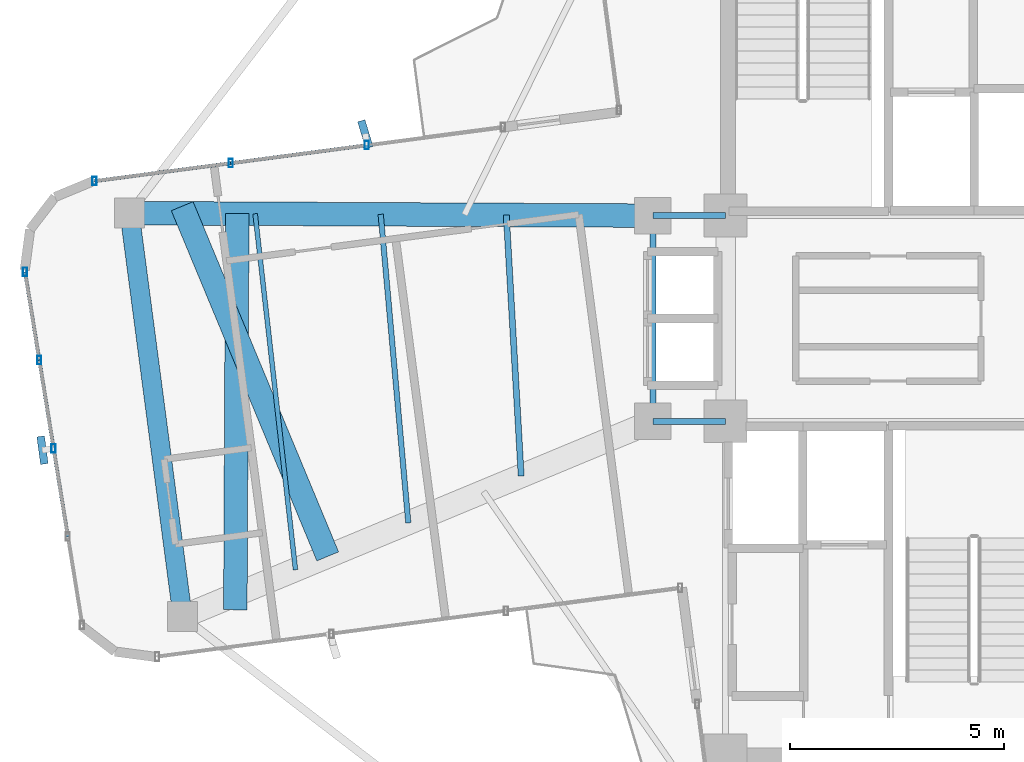
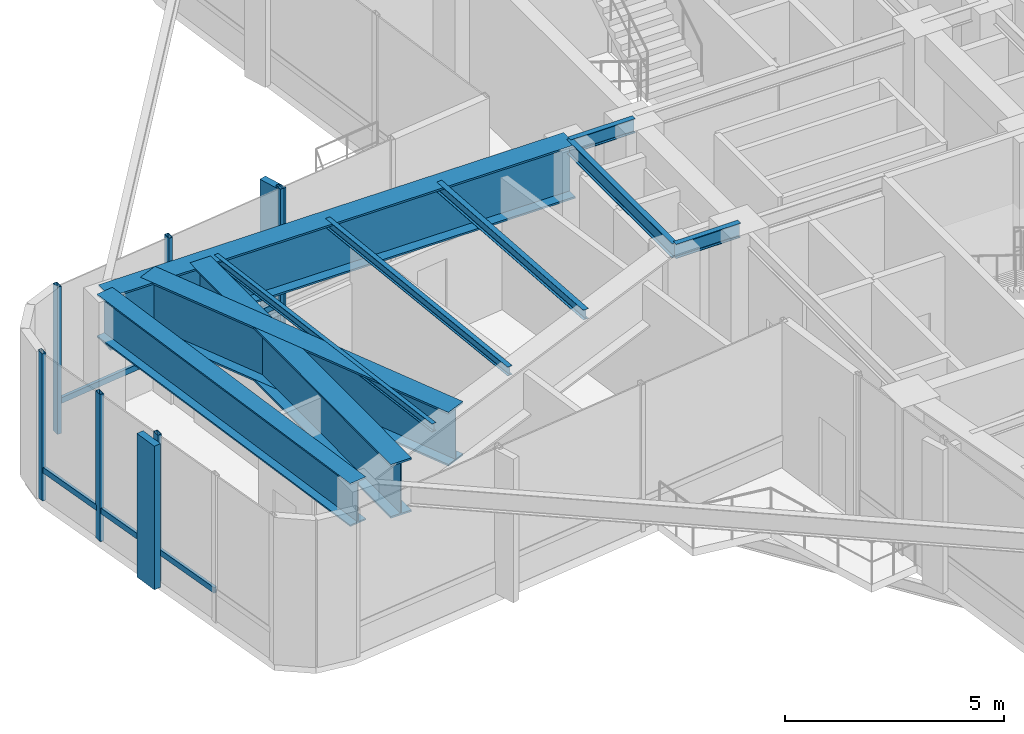
# One storey, part 4 of 18: 13 members, 10 beams, 2 elements without a shape of their own.
"""IFC4 building model written with IfcOpenShell, lengths in metres."""

from ifc_helpers import new_model, si_unit, direction, frame, origin, origin_2d, place, context, subcontext, project, spatial, rectangle, hollow_rectangle, i_section, extrude, source, transform, mapped, material, material_profile, profile_set, type_object, element, aggregate, save


model = new_model("IFC4")

# Units and contexts
model_context = context("Model", 3, precision=1e-05, world=origin(), true_north=direction((0.0, 1.0)))
body_context = subcontext(model_context, "Body", "Model", "MODEL_VIEW")
ifc_project = project(units=[si_unit("LENGTHUNIT", "METRE"), si_unit("AREAUNIT", "SQUARE_METRE"), si_unit("VOLUMEUNIT", "CUBIC_METRE"), si_unit("PLANEANGLEUNIT", "RADIAN"), si_unit("MASSUNIT", "GRAM", prefix="KILO")], contexts=[model_context])

# Site, building, storey
site_placement = place(None, origin())
site = spatial("IfcSite", under=ifc_project, at=site_placement, CompositionType="ELEMENT")
building_placement = place(site_placement, origin())
building = spatial("IfcBuilding", under=site, at=building_placement, Name="Sahyath Konkavel Grand Hotel", CompositionType="ELEMENT")
storey_placement = place(building_placement, frame((0.0, 0.0, 275.800048828125)))
storey = spatial("IfcBuildingStorey", under=building, at=storey_placement, Name="L77", CompositionType="ELEMENT", Elevation=275.800048828125)

# Beams
ifc_material_1 = material(Name="Steel E350", Category="steel")
ifc_material_profile_1 = material_profile(ifc_material_1, i_section(OverallWidth=0.139892578125, OverallDepth=0.39990234375, WebThickness=0.0087890625, FlangeThickness=0.01611328125, FilletRadius=0.013916015625, at=origin_2d()), Name="ISMB 400")
ifc_profile_set_1 = profile_set([ifc_material_profile_1], Name="Steel E350")
beam_type_1 = type_object("IfcBeamType", Name="BM-ISMB400", PredefinedType="BEAM", material=ifc_profile_set_1)
shared_shape_1 = source(origin(), body_context, "Body", "SweptSolid", [
    extrude(i_section(OverallWidth=0.139892578125, OverallDepth=0.39990234375, WebThickness=0.0087890625, FlangeThickness=0.01611328125, FilletRadius=0.013916015625, at=origin_2d()), origin(), (0.0, 0.0, 1.0), 1.699951171875),
])
for number, where, z_axis, x_axis, name in (
    (1, (-5.5, 2.39990234375, 3.89990234375), (1.0, 0.0, 0.0), (0.0, 1.0, 0.0), "str:bm:L77:HB-NW"),
    (2, (-5.5, -2.39990234375, 3.89990234375), (1.0, 0.0, 0.0), (0.0, 1.0, 0.0), "str:bm:L77:HB-SW"),
):
    element("IfcBeam", number, at=place(storey_placement, frame(where, z_axis=z_axis, x_axis=x_axis)), inside=storey, type_object=beam_type_1, Name=name, PredefinedType="BEAM", context=body_context, shape_type="MappedRepresentation", body=[
        mapped(shared_shape_1, transform((0.0, 0.0, 0.0), scale=1.0)),
    ])
shared_shape_2 = source(origin(), body_context, "Body", "SweptSolid", [
    extrude(i_section(OverallWidth=0.139892578125, OverallDepth=0.39990234375, WebThickness=0.0087890625, FlangeThickness=0.01611328125, FilletRadius=0.013916015625, at=origin_2d()), origin(), (0.0, 0.0, 1.0), 4.7998046875),
])
beam_1_placement = place(storey_placement, frame((-5.5, -2.39990234375, 3.89990234375), z_axis=(0.0, 1.0, 0.0), x_axis=(-1.0, 0.0, 0.0)))
element("IfcBeam", 3, at=beam_1_placement, inside=storey, type_object=beam_type_1, Name="str:bm:L77:HB-W", PredefinedType="BEAM", context=body_context, shape_type="MappedRepresentation", body=[
    mapped(shared_shape_2, transform((0.0, 0.0, 0.0), scale=1.0)),
])
ifc_material_profile_2 = material_profile(ifc_material_1, i_section(OverallWidth=0.139892578125, OverallDepth=0.27490234375, WebThickness=0.00634765625, FlangeThickness=0.0087890625, FilletRadius=0.012939453125, at=origin_2d()), Name="ISLB 275")
ifc_profile_set_2 = profile_set([ifc_material_profile_2], Name="Steel E350")
beam_type_2 = type_object("IfcBeamType", Name="BM-ISLB275", PredefinedType="BEAM", material=ifc_profile_set_2)
shared_shape_3 = source(origin(), body_context, "Body", "SweptSolid", [
    extrude(i_section(OverallWidth=0.139892578125, OverallDepth=0.27490234375, WebThickness=0.00634765625, FlangeThickness=0.0087890625, FilletRadius=0.012939453125, at=origin_2d()), origin(), (0.0, 0.0, 1.0), 6.10302734375),
])
beam_2_placement = place(storey_placement, frame((-8.91943359375, 2.41650390625, 3.96240234375), z_axis=(0.056883465537, -0.99838082481, 0.0), x_axis=(0.99838082481, 0.056883465537, 0.0)))
element("IfcBeam", 4, at=beam_2_placement, inside=storey, type_object=beam_type_2, Name="L77 Secondary Floor Beam W-1", PredefinedType="BEAM", context=body_context, shape_type="MappedRepresentation", body=[
    mapped(shared_shape_3, transform((0.0, 0.0, 0.0), scale=1.0)),
])
ifc_material_profile_3 = material_profile(ifc_material_1, i_section(OverallWidth=0.125, OverallDepth=0.25, WebThickness=0.0068359375, FlangeThickness=0.012451171875, FilletRadius=0.012939453125, at=origin_2d()), Name="ISMB 250")
ifc_profile_set_3 = profile_set([ifc_material_profile_3], Name="Steel E350")
beam_type_3 = type_object("IfcBeamType", Name="BM-ISMB250", PredefinedType="BEAM", material=ifc_profile_set_3)
shared_shape_4 = source(origin(), body_context, "Body", "SweptSolid", [
    extrude(i_section(OverallWidth=0.125, OverallDepth=0.25, WebThickness=0.0068359375, FlangeThickness=0.012451171875, FilletRadius=0.012939453125, at=origin_2d()), origin(), (0.0, 0.0, 1.0), 7.23046875),
])
beam_3_placement = place(storey_placement, frame((-11.8505859375, 2.4306640625, 3.974853515625), z_axis=(0.089174799421, -0.996015991412, 0.0), x_axis=(0.996015991412, 0.089174799421, 0.0)))
element("IfcBeam", 5, at=beam_3_placement, inside=storey, type_object=beam_type_3, Name="L77 Secondary Floor Beam W-2", PredefinedType="BEAM", context=body_context, shape_type="MappedRepresentation", body=[
    mapped(shared_shape_4, transform((0.0, 0.0, 0.0), scale=1.0)),
])
ifc_material_profile_4 = material_profile(ifc_material_1, i_section(OverallWidth=0.110107421875, OverallDepth=0.22509765625, WebThickness=0.006591796875, FlangeThickness=0.01171875, FilletRadius=0.011962890625, at=origin_2d()), Name="ISMB 225")
ifc_profile_set_4 = profile_set([ifc_material_profile_4], Name="Steel E350")
beam_type_4 = type_object("IfcBeamType", Name="BM-ISMB225", PredefinedType="BEAM", material=ifc_profile_set_4)
shared_shape_5 = source(origin(), body_context, "Body", "SweptSolid", [
    extrude(i_section(OverallWidth=0.110107421875, OverallDepth=0.22509765625, WebThickness=0.006591796875, FlangeThickness=0.01171875, FilletRadius=0.011962890625, at=origin_2d()), origin(), (0.0, 0.0, 1.0), 8.36328125),
])
beam_4_placement = place(storey_placement, frame((-14.781494140625, 2.44482421875, 3.987548828125), z_axis=(0.112680437677, -0.99363127918, 0.0), x_axis=(0.99363127918, 0.112680437677, 0.0)))
element("IfcBeam", 6, at=beam_4_placement, inside=storey, type_object=beam_type_4, Name="L77 Secondary Floor Beam W-3", PredefinedType="BEAM", context=body_context, shape_type="MappedRepresentation", body=[
    mapped(shared_shape_5, transform((0.0, 0.0, 0.0), scale=1.0)),
])
ifc_material_2 = material(Name="Steel E450", Category="steel")
ifc_material_profile_5 = material_profile(ifc_material_2, i_section(OverallWidth=0.550048828125, OverallDepth=1.5, WebThickness=0.028076171875, FlangeThickness=0.050048828125, at=origin_2d()), Name="BPG 1500x550")
ifc_profile_set_5 = profile_set([ifc_material_profile_5], Name="Steel E450")
beam_type_5 = type_object("IfcBeamType", Name="BM-BPG1500", PredefinedType="BEAM", material=ifc_profile_set_5)
shared_shape_6 = source(origin(), body_context, "Body", "SweptSolid", [
    extrude(i_section(OverallWidth=0.550048828125, OverallDepth=1.5, WebThickness=0.028076171875, FlangeThickness=0.050048828125, at=origin_2d()), origin(), (0.0, 0.0, 1.0), 12.212646484375),
])
beam_5_placement = place(storey_placement, frame((-5.5, 2.39990234375, 3.349853515625), z_axis=(-0.999988297706, 0.004837814722, 0.0), x_axis=(-0.004837814722, -0.999988297706, 0.0)))
element("IfcBeam", 7, at=beam_5_placement, inside=storey, type_object=beam_type_5, Name="L77 Setback Transfer Girder WA", PredefinedType="BEAM", context=body_context, shape_type="MappedRepresentation", body=[
    mapped(shared_shape_6, transform((0.0, 0.0, 0.0), scale=1.0)),
])
shared_shape_7 = source(origin(), body_context, "Body", "SweptSolid", [
    extrude(i_section(OverallWidth=0.550048828125, OverallDepth=1.5, WebThickness=0.028076171875, FlangeThickness=0.050048828125, at=origin_2d()), origin(), (0.0, 0.0, 1.0), 8.85107421875),
])
beam_6_placement = place(storey_placement, frame((-16.483154296875, 2.620849609375, 3.349853515625), z_axis=(0.383741680427, -0.923440481408, 0.0), x_axis=(0.923440481408, 0.383741680427, 0.0)))
element("IfcBeam", 8, at=beam_6_placement, inside=storey, type_object=beam_type_5, Name="L77 Setback Cross Transfer Girder W-1", PredefinedType="BEAM", context=body_context, shape_type="MappedRepresentation", body=[
    mapped(shared_shape_7, transform((0.0, 0.0, 0.0), scale=1.0)),
])
shared_shape_8 = source(origin(), body_context, "Body", "SweptSolid", [
    extrude(i_section(OverallWidth=0.550048828125, OverallDepth=1.5, WebThickness=0.028076171875, FlangeThickness=0.050048828125, at=origin_2d()), origin(), (0.0, 0.0, 1.0), 9.244873046875),
])
beam_7_placement = place(storey_placement, frame((-15.198486328125, 2.447021484375, 3.349853515625), z_axis=(-0.004832647504, -0.999988322691, 0.0), x_axis=(0.999988322691, -0.004832647504, 0.0)))
element("IfcBeam", 9, at=beam_7_placement, inside=storey, type_object=beam_type_5, Name="L77 Setback Cross Transfer Girder W-2", PredefinedType="BEAM", context=body_context, shape_type="MappedRepresentation", body=[
    mapped(shared_shape_8, transform((0.0, 0.0, 0.0), scale=1.0)),
])
ifc_material_profile_6 = material_profile(ifc_material_2, i_section(OverallWidth=0.449951171875, OverallDepth=1.199951171875, WebThickness=0.02197265625, FlangeThickness=0.0400390625, at=origin_2d()), Name="BPG 1200x450")
ifc_profile_set_6 = profile_set([ifc_material_profile_6], Name="Steel E450")
beam_type_6 = type_object("IfcBeamType", Name="BM-BPG1200", PredefinedType="BEAM", material=ifc_profile_set_6)
shared_shape_9 = source(origin(), body_context, "Body", "SweptSolid", [
    extrude(i_section(OverallWidth=0.449951171875, OverallDepth=1.199951171875, WebThickness=0.02197265625, FlangeThickness=0.0400390625, at=origin_2d()), origin(), (0.0, 0.0, 1.0), 9.5),
])
beam_8_placement = place(storey_placement, frame((-17.71240234375, 2.458984375, 3.5), z_axis=(0.130525643939, -0.991444933556, 0.0), x_axis=(0.991444933556, 0.130525643939, 0.0)))
element("IfcBeam", 10, at=beam_8_placement, inside=storey, type_object=beam_type_6, Name="L77 Wing Tip Edge Beam W", PredefinedType="BEAM", context=body_context, shape_type="MappedRepresentation", body=[
    mapped(shared_shape_9, transform((0.0, 0.0, 0.0), scale=1.0)),
])

# Curtain wall, members
ifc_material_3 = material(Name="Anodised Bronze Aluminium & Low-E Glazing", Category="aluminium")
curtain_wall_type = type_object("IfcCurtainWallType", Name="CW-ZONE4", PredefinedType="NOTDEFINED", material=ifc_material_3)
curtain_wall_1_placement = place(storey_placement, origin())
curtain_wall_1 = element("IfcCurtainWall", 11, at=curtain_wall_1_placement, inside=storey, type_object=curtain_wall_type, Name="L77 Unitised Curtain Wall F16", PredefinedType="NOTDEFINED")
ifc_material_4 = material(Name="Anodised Bronze Aluminium", Category="aluminium")
ifc_material_profile_7 = material_profile(ifc_material_4, hollow_rectangle(XDim=0.10009765625, YDim=0.199951171875, WallThickness=0.008056640625, at=origin_2d()), Name="RHS 200x100x8")
ifc_profile_set_7 = profile_set([ifc_material_profile_7], Name="Anodised Bronze Aluminium")
member_type_1 = type_object("IfcMemberType", Name="CW-MUL-200", PredefinedType="MULLION", material=ifc_profile_set_7)
shared_shape_10 = source(origin(), body_context, "Body", "SweptSolid", [
    extrude(hollow_rectangle(XDim=0.10009765625, YDim=0.199951171875, WallThickness=0.008056640625, at=origin_2d()), origin(), (0.0, 0.0, 1.0), 4.099853515625),
])
member_1_placement = place(storey_placement, frame((-12.175537109375, 4.04541015625, 0.0), z_axis=(0.0, 0.0, 1.0), x_axis=(1.0, 0.0, 0.0)))
member_1 = element("IfcMember", 12, at=member_1_placement, type_object=member_type_1, Name="L77 Curtain Wall Mullion F16-1", PredefinedType="MULLION", context=body_context, shape_type="MappedRepresentation", body=[
    mapped(shared_shape_10, transform((0.0, 0.0, 0.0), scale=1.0)),
])
member_2_placement = place(storey_placement, frame((-15.351318359375, 3.627197265625, 0.0), z_axis=(0.0, 0.0, 1.0), x_axis=(1.0, 0.0, 0.0)))
member_2 = element("IfcMember", 13, at=member_2_placement, type_object=member_type_1, Name="L77 Curtain Wall Mullion F16-2", PredefinedType="MULLION", context=body_context, shape_type="MappedRepresentation", body=[
    mapped(shared_shape_10, transform((0.0, 0.0, 0.0), scale=1.0)),
])
member_3_placement = place(storey_placement, frame((-18.52734375, 3.208984375, 0.0), z_axis=(0.0, 0.0, 1.0), x_axis=(1.0, 0.0, 0.0)))
member_3 = element("IfcMember", 14, at=member_3_placement, type_object=member_type_1, Name="L77 Curtain Wall Mullion F16-3", PredefinedType="MULLION", context=body_context, shape_type="MappedRepresentation", body=[
    mapped(shared_shape_10, transform((0.0, 0.0, 0.0), scale=1.0)),
])

curtain_wall_2_placement = place(storey_placement, origin())
curtain_wall_2 = element("IfcCurtainWall", 15, at=curtain_wall_2_placement, inside=storey, type_object=curtain_wall_type, Name="L77 Unitised Curtain Wall F20", PredefinedType="NOTDEFINED")
member_4_placement = place(storey_placement, frame((-20.1533203125, 1.0888671875, 0.0), z_axis=(0.0, 0.0, 1.0), x_axis=(1.0, 0.0, 0.0)))
member_4 = element("IfcMember", 16, at=member_4_placement, type_object=member_type_1, Name="L77 Curtain Wall Mullion F20-0", PredefinedType="MULLION", context=body_context, shape_type="MappedRepresentation", body=[
    mapped(shared_shape_10, transform((0.0, 0.0, 0.0), scale=1.0)),
])
member_5_placement = place(storey_placement, frame((-19.8203125, -0.9716796875, 0.0), z_axis=(0.0, 0.0, 1.0), x_axis=(1.0, 0.0, 0.0)))
member_5 = element("IfcMember", 17, at=member_5_placement, type_object=member_type_1, Name="L77 Curtain Wall Mullion F20-1", PredefinedType="MULLION", context=body_context, shape_type="MappedRepresentation", body=[
    mapped(shared_shape_10, transform((0.0, 0.0, 0.0), scale=1.0)),
])
member_6_placement = place(storey_placement, frame((-19.487060546875, -3.031982421875, 0.0), z_axis=(0.0, 0.0, 1.0), x_axis=(1.0, 0.0, 0.0)))
member_6 = element("IfcMember", 18, at=member_6_placement, type_object=member_type_1, Name="L77 Curtain Wall Mullion F20-2", PredefinedType="MULLION", context=body_context, shape_type="MappedRepresentation", body=[
    mapped(shared_shape_10, transform((0.0, 0.0, 0.0), scale=1.0)),
])

# Member
ifc_material_5 = material(Name="Warm Buff Sandstone Cladding on Concrete C50/60", Category="masonry")
ifc_material_profile_8 = material_profile(ifc_material_5, rectangle(XDim=0.179931640625, YDim=0.64990234375, at=origin_2d()), Name="FIN 180x650")
ifc_profile_set_8 = profile_set([ifc_material_profile_8], Name="Warm Buff Sandstone Cladding on Concrete C50/60")
member_type_2 = type_object("IfcMemberType", Name="FIN-SANDSTONE-650", PredefinedType="MULLION", material=ifc_profile_set_8)
shared_shape_11 = source(origin(), body_context, "Body", "SweptSolid", [
    extrude(rectangle(XDim=0.179931640625, YDim=0.64990234375, at=origin_2d()), origin(), (0.0, 0.0, 1.0), 4.0),
])
member_7_placement = place(storey_placement, frame((-12.20947265625, 4.30322265625, 0.050048828125), z_axis=(0.0, 0.0, 1.0), x_axis=(0.956610402488, 0.291370104596, 0.0)))
member_7 = element("IfcMember", 19, at=member_7_placement, type_object=member_type_2, Name="L77 Sandstone Vertical Solar Fin FIN F16-1", PredefinedType="MULLION", context=body_context, shape_type="MappedRepresentation", body=[
    mapped(shared_shape_11, transform((0.0, 0.0, 0.0), scale=1.0)),
])

member_8_placement = place(storey_placement, frame((-19.74365234375, -3.073486328125, 0.050048828125), z_axis=(0.0, 0.0, 1.0), x_axis=(0.991076498214, 0.133294316036, 0.0)))
member_8 = element("IfcMember", 20, at=member_8_placement, type_object=member_type_2, Name="L77 Sandstone Vertical Solar Fin FIN F20-2", PredefinedType="MULLION", context=body_context, shape_type="MappedRepresentation", body=[
    mapped(shared_shape_11, transform((0.0, 0.0, 0.0), scale=1.0)),
])

ifc_material_profile_9 = material_profile(ifc_material_4, hollow_rectangle(XDim=0.080078125, YDim=0.159912109375, WallThickness=0.006103515625, at=origin_2d()), Name="RHS 160x80x6")
ifc_profile_set_9 = profile_set([ifc_material_profile_9], Name="Anodised Bronze Aluminium")
member_type_3 = type_object("IfcMemberType", Name="CW-TRN-160", PredefinedType="USERDEFINED", material=ifc_profile_set_9)
shared_shape_12 = source(origin(), body_context, "Body", "SweptSolid", [
    extrude(hollow_rectangle(XDim=0.080078125, YDim=0.159912109375, WallThickness=0.006103515625, at=origin_2d()), origin(), (0.0, 0.0, 1.0), 3.203369140625),
])
member_9_placement = place(storey_placement, frame((-15.351318359375, 3.627197265625, 0.849853515625), z_axis=(-0.991441580194, -0.130551112835, 0.0), x_axis=(0.130551112835, -0.991441580194, 0.0)))
member_9 = element("IfcMember", 21, at=member_9_placement, type_object=member_type_3, Name="L77 Curtain Wall Transom F16-2-spandrel", ObjectType="TRANSOM", PredefinedType="USERDEFINED", context=body_context, shape_type="MappedRepresentation", body=[
    mapped(shared_shape_12, transform((0.0, 0.0, 0.0), scale=1.0)),
])

shared_shape_13 = source(origin(), body_context, "Body", "SweptSolid", [
    extrude(hollow_rectangle(XDim=0.080078125, YDim=0.159912109375, WallThickness=0.006103515625, at=origin_2d()), origin(), (0.0, 0.0, 1.0), 3.203125),
])
member_10_placement = place(storey_placement, frame((-12.175537109375, 4.04541015625, 0.849853515625), z_axis=(-0.991440281121, -0.13056097798, 0.0), x_axis=(0.13056097798, -0.991440281121, 0.0)))
member_10 = element("IfcMember", 22, at=member_10_placement, type_object=member_type_3, Name="L77 Curtain Wall Transom F16-1-spandrel", ObjectType="TRANSOM", PredefinedType="USERDEFINED", context=body_context, shape_type="MappedRepresentation", body=[
    mapped(shared_shape_13, transform((0.0, 0.0, 0.0), scale=1.0)),
])

aggregate(curtain_wall_1, [member_1, member_7, member_2, member_3, member_10, member_9])

shared_shape_14 = source(origin(), body_context, "Body", "SweptSolid", [
    extrude(hollow_rectangle(XDim=0.080078125, YDim=0.159912109375, WallThickness=0.006103515625, at=origin_2d()), origin(), (0.0, 0.0, 1.0), 2.08740234375),
])
member_11_placement = place(storey_placement, frame((-20.1533203125, 1.0888671875, 0.849853515625), z_axis=(0.159541334591, -0.98719124923, 0.0), x_axis=(0.98719124923, 0.159541334591, 0.0)))
member_11 = element("IfcMember", 23, at=member_11_placement, type_object=member_type_3, Name="L77 Curtain Wall Transom F20-0-spandrel", ObjectType="TRANSOM", PredefinedType="USERDEFINED", context=body_context, shape_type="MappedRepresentation", body=[
    mapped(shared_shape_14, transform((0.0, 0.0, 0.0), scale=1.0)),
])

shared_shape_15 = source(origin(), body_context, "Body", "SweptSolid", [
    extrude(hollow_rectangle(XDim=0.080078125, YDim=0.159912109375, WallThickness=0.006103515625, at=origin_2d()), origin(), (0.0, 0.0, 1.0), 2.087158203125),
])
member_12_placement = place(storey_placement, frame((-19.8203125, -0.9716796875, 0.849853515625), z_axis=(0.159673756436, -0.98716983924, 0.0), x_axis=(0.98716983924, 0.159673756436, 0.0)))
member_12 = element("IfcMember", 24, at=member_12_placement, type_object=member_type_3, Name="L77 Curtain Wall Transom F20-1-spandrel", ObjectType="TRANSOM", PredefinedType="USERDEFINED", context=body_context, shape_type="MappedRepresentation", body=[
    mapped(shared_shape_15, transform((0.0, 0.0, 0.0), scale=1.0)),
])

member_13_placement = place(storey_placement, frame((-19.487060546875, -3.031982421875, 0.849853515625), z_axis=(0.159673756436, -0.98716983924, 0.0), x_axis=(0.98716983924, 0.159673756436, 0.0)))
member_13 = element("IfcMember", 25, at=member_13_placement, type_object=member_type_3, Name="L77 Curtain Wall Transom F20-2-spandrel", ObjectType="TRANSOM", PredefinedType="USERDEFINED", context=body_context, shape_type="MappedRepresentation", body=[
    mapped(shared_shape_15, transform((0.0, 0.0, 0.0), scale=1.0)),
])

aggregate(curtain_wall_2, [member_4, member_5, member_6, member_8, member_11, member_12, member_13])

save(model, "model.ifc")
